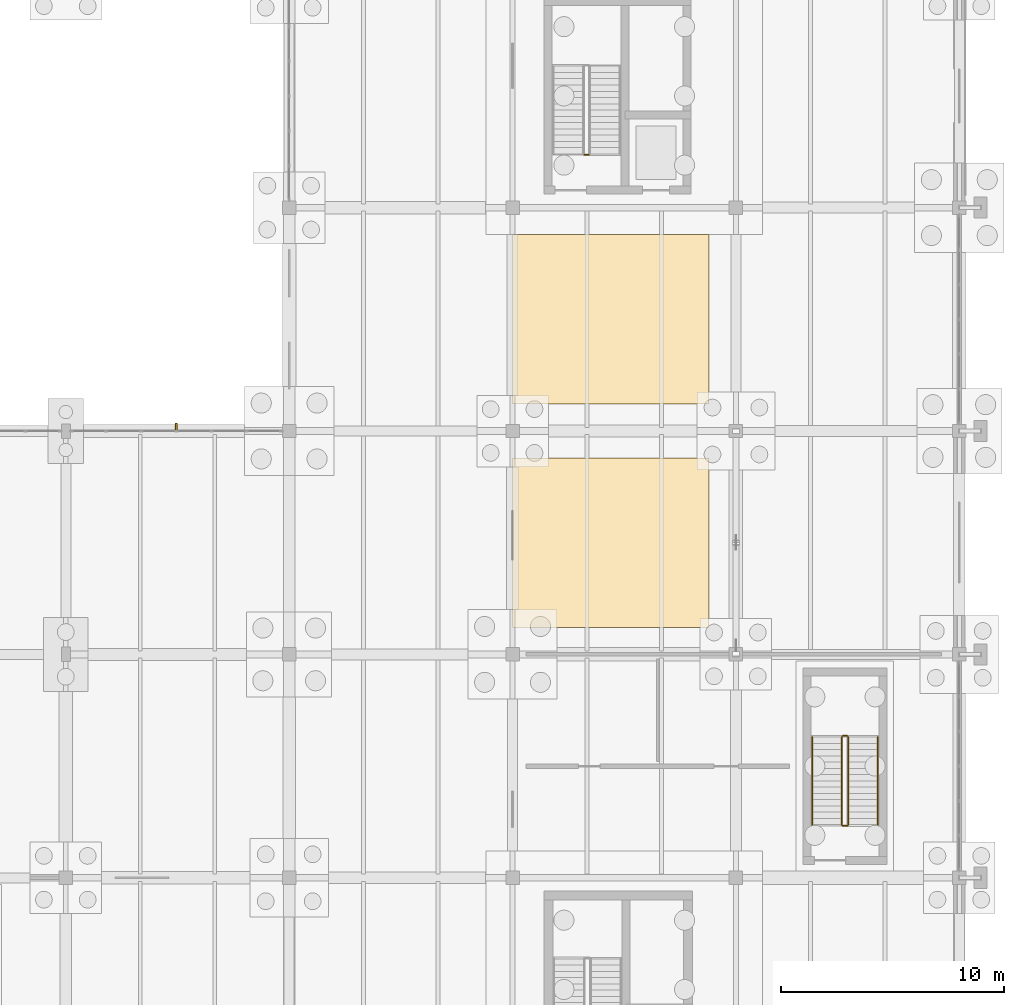
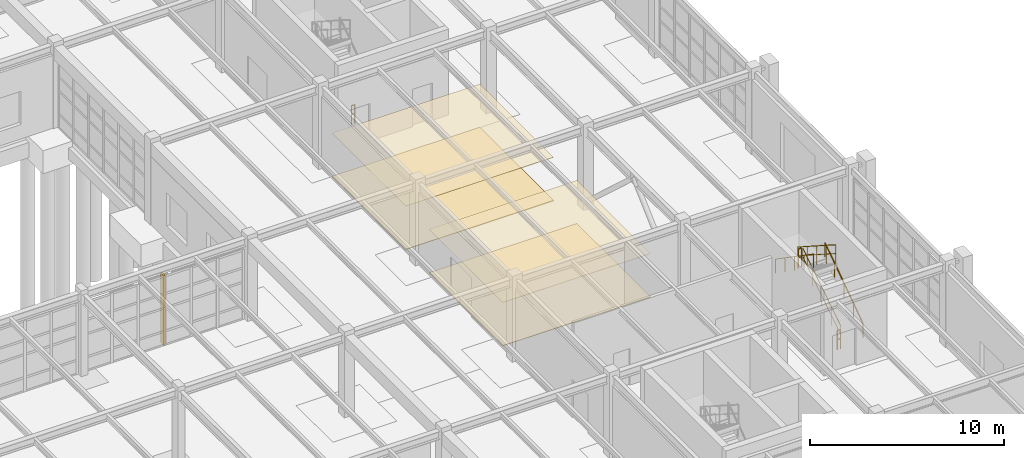
# One storey, part 141 of 145: 7 railings, 4 coverings, 1 shading device.
"""IFC4 building model written with IfcOpenShell, lengths in metres."""

from ifc_helpers import new_model, si_unit, direction, frame, origin, origin_2d, place, context, subcontext, project, spatial, polyline, rectangle, circle, outline, extrude, material, layer, layer_set, type_object, element, save


model = new_model("IFC4")

# Units and contexts
model_context = context("Model", 3, precision=1e-05, world=origin(), true_north=direction((0.0, 1.0)))
body_context = subcontext(model_context, "Body", "Model", "MODEL_VIEW")
ifc_project = project(units=[si_unit("LENGTHUNIT", "METRE"), si_unit("AREAUNIT", "SQUARE_METRE"), si_unit("VOLUMEUNIT", "CUBIC_METRE"), si_unit("PLANEANGLEUNIT", "RADIAN"), si_unit("MASSUNIT", "GRAM", prefix="KILO"), si_unit("THERMODYNAMICTEMPERATUREUNIT", "KELVIN"), si_unit("POWERUNIT", "WATT")], contexts=[model_context])

# Site, building, storey
site_placement = place(None, origin())
site = spatial("IfcSite", under=ifc_project, at=site_placement, CompositionType="ELEMENT")
building_placement = place(site_placement, origin())
building = spatial("IfcBuilding", under=site, at=building_placement, Name="Korenveer Ferry Terminal", CompositionType="ELEMENT")
storey_placement = place(building_placement, origin())
storey = spatial("IfcBuildingStorey", under=building, at=storey_placement, Name="L00", CompositionType="ELEMENT", Elevation=0.0)

# Shading device
ifc_material_1 = material(Name="Anodised bronze aluminium solar fin", Category="aluminium")
shading_device_type = type_object("IfcShadingDeviceType", Name="ENV-SHD-FIN", PredefinedType="JALOUSIE", material=ifc_material_1)
shading_device_placement = place(storey_placement, frame((140.949951171875, 50.159912109375, -0.02001953125), z_axis=(0.0, 0.0, 1.0), x_axis=(0.0, 1.0, 0.0)))
element("IfcShadingDevice", 1, at=shading_device_placement, inside=storey, type_object=shading_device_type, Name="Gothic solar fin 2", PredefinedType="JALOUSIE", context=body_context, shape_type="SweptSolid", body=[
    extrude(rectangle(XDim=0.360107421875, YDim=0.080078125, at=origin_2d()), origin(), (0.0, 0.0, 1.0), 4.409912109375),
])

# Coverings
ifc_material_2 = material(Name="Mineral acoustic ceiling board", Category="other")
ifc_layer_1 = layer(ifc_material_2, 0.02490234375)
ifc_layer_set_1 = layer_set([ifc_layer_1], Name="Mineral acoustic ceiling board")
covering_type_1 = type_object("IfcCoveringType", Name="INT-COV-CEIL", PredefinedType="CEILING", material=ifc_layer_set_1)
covering_1_placement = place(storey_placement, frame((0.0, 0.0, 2.72509765625)))
element("IfcCovering", 2, at=covering_1_placement, inside=storey, type_object=covering_type_1, Name="Acoustic room ceiling 3", PredefinedType="CEILING", context=body_context, shape_type="SweptSolid", body=[
    extrude(outline(polyline([(156.0, 41.199951171875), (164.800048828125, 41.199951171875), (164.800048828125, 48.800048828125), (156.0, 48.800048828125), (156.0, 41.199951171875)])), origin(), (0.0, 0.0, 1.0), 0.02490234375),
])
covering_2_placement = place(storey_placement, frame((0.0, 0.0, 2.72509765625)))
element("IfcCovering", 3, at=covering_2_placement, inside=storey, type_object=covering_type_1, Name="Acoustic room ceiling 4", PredefinedType="CEILING", context=body_context, shape_type="SweptSolid", body=[
    extrude(outline(polyline([(156.0, 51.199951171875), (164.800048828125, 51.199951171875), (164.800048828125, 58.800048828125), (156.0, 58.800048828125), (156.0, 51.199951171875)])), origin(), (0.0, 0.0, 1.0), 0.02490234375),
])
ifc_material_3 = material(Name="Polished terrazzo tile finish", Category="masonry")
ifc_layer_2 = layer(ifc_material_3, 0.030029296875)
ifc_layer_set_2 = layer_set([ifc_layer_2], Name="Polished terrazzo tile finish")
covering_type_2 = type_object("IfcCoveringType", Name="INT-COV-FLR", PredefinedType="FLOORING", material=ifc_layer_set_2)
covering_3_placement = place(storey_placement, origin())
element("IfcCovering", 4, at=covering_3_placement, inside=storey, type_object=covering_type_2, Name="Terrazzo floor finish 3", PredefinedType="FLOORING", context=body_context, shape_type="SweptSolid", body=[
    extrude(outline(polyline([(156.0, 41.199951171875), (164.800048828125, 41.199951171875), (164.800048828125, 48.800048828125), (156.0, 48.800048828125), (156.0, 41.199951171875)])), origin(), (0.0, 0.0, 1.0), 0.030029296875),
])
covering_4_placement = place(storey_placement, origin())
element("IfcCovering", 5, at=covering_4_placement, inside=storey, type_object=covering_type_2, Name="Terrazzo floor finish 4", PredefinedType="FLOORING", context=body_context, shape_type="SweptSolid", body=[
    extrude(outline(polyline([(156.0, 51.199951171875), (164.800048828125, 51.199951171875), (164.800048828125, 58.800048828125), (156.0, 58.800048828125), (156.0, 51.199951171875)])), origin(), (0.0, 0.0, 1.0), 0.030029296875),
])

# Railings
ifc_material_4 = material(Name="Brushed stainless steel handrail", Category="steel")
railing_type_1 = type_object("IfcRailingType", Name="INT-RL-HND90", PredefinedType="HANDRAIL", material=ifc_material_4)
railing_1_placement = place(storey_placement, frame((172.35009765625, 32.3798828125, 0.179931640625)))
element("IfcRailing", 6, at=railing_1_placement, inside=storey, type_object=railing_type_1, Name="L00 ST12 stair handrail 1", PredefinedType="HANDRAIL", context=body_context, shape_type="SweptSolid", body=[
    extrude(circle(Radius=0.02392578125, at=origin_2d()), frame((0.0, 0.0, 0.8759765625), z_axis=(0.0, 0.823567234665, 0.567218661528), x_axis=(-1.0, 0.0, 0.0)), (0.0, 0.0, 1.0), 4.760009765625),
    extrude(circle(Radius=0.02099609375, at=origin_2d()), origin(), (0.0, 0.0, 1.0), 0.851806640625),
    extrude(circle(Radius=0.02099609375, at=origin_2d()), frame((0.0, 0.97998046875, 0.675048828125)), (0.0, 0.0, 1.0), 0.851806640625),
    extrude(circle(Radius=0.02099609375, at=origin_2d()), frame((0.0, 1.9599609375, 1.35009765625)), (0.0, 0.0, 1.0), 0.851806640625),
    extrude(circle(Radius=0.02099609375, at=origin_2d()), frame((0.0, 2.940185546875, 2.02490234375)), (0.0, 0.0, 1.0), 0.851806640625),
    extrude(circle(Radius=0.02099609375, at=origin_2d()), frame((0.0, 3.920166015625, 2.699951171875)), (0.0, 0.0, 1.0), 0.851806640625),
])
railing_2_placement = place(storey_placement, frame((169.409912109375, 36.300048828125, 2.8798828125)))
element("IfcRailing", 7, at=railing_2_placement, inside=storey, type_object=railing_type_1, Name="L00 ST12 stair handrail 2", PredefinedType="HANDRAIL", context=body_context, shape_type="SweptSolid", body=[
    extrude(circle(Radius=0.02392578125, at=origin_2d()), frame((0.0, 0.0, 0.8759765625), z_axis=(0.0, -0.82354327477, 0.567253448276), x_axis=(1.0, 0.0, 0.0)), (0.0, 0.0, 1.0), 4.760009765625),
    extrude(circle(Radius=0.02099609375, at=origin_2d()), origin(), (0.0, 0.0, 1.0), 0.851806640625),
    extrude(circle(Radius=0.02099609375, at=origin_2d()), frame((0.0, -0.97998046875, 0.675048828125)), (0.0, 0.0, 1.0), 0.851806640625),
    extrude(circle(Radius=0.02099609375, at=origin_2d()), frame((0.0, -1.9599609375, 1.35009765625)), (0.0, 0.0, 1.0), 0.851806640625),
    extrude(circle(Radius=0.02099609375, at=origin_2d()), frame((0.0, -2.940185546875, 2.025146484375)), (0.0, 0.0, 1.0), 0.851806640625),
    extrude(circle(Radius=0.02099609375, at=origin_2d()), frame((0.0, -3.920166015625, 2.7001953125)), (0.0, 0.0, 1.0), 0.851806640625),
])
ifc_material_5 = material(Name="Painted steel stair guard", Category="steel")
railing_type_2 = type_object("IfcRailingType", Name="INT-RL-STGRD", PredefinedType="GUARDRAIL", material=ifc_material_5)
railing_3_placement = place(storey_placement, frame((159.409912109375, 62.360107421875, 0.0)))
element("IfcRailing", 8, at=railing_3_placement, inside=storey, type_object=railing_type_2, Name="L00 ST04 stair guard 4", PredefinedType="GUARDRAIL", context=body_context, shape_type="SweptSolid", body=[
    extrude(circle(Radius=0.02392578125, at=origin_2d()), frame((0.0, 0.0, 1.17578125), z_axis=(-1.0, 0.0, 0.0), x_axis=(0.0, -1.0, 0.0)), (0.0, 0.0, 1.0), 0.199951171875),
    extrude(circle(Radius=0.01806640625, at=origin_2d()), frame((0.0, 0.0, 0.6240234375), z_axis=(-1.0, 0.0, 0.0), x_axis=(0.0, -1.0, 0.0)), (0.0, 0.0, 1.0), 0.199951171875),
    extrude(circle(Radius=0.02099609375, at=origin_2d()), origin(), (0.0, 0.0, 1.0), 1.15185546875),
    extrude(circle(Radius=0.02099609375, at=origin_2d()), frame((-0.199951171875, 0.0, 0.0)), (0.0, 0.0, 1.0), 1.15185546875),
])
railing_4_placement = place(storey_placement, frame((171.030029296875, 32.3798828125, 0.179931640625)))
element("IfcRailing", 9, at=railing_4_placement, inside=storey, type_object=railing_type_2, Name="L00 ST12 stair guard 1", PredefinedType="GUARDRAIL", context=body_context, shape_type="SweptSolid", body=[
    extrude(circle(Radius=0.02392578125, at=origin_2d()), frame((0.0, 0.0, 1.17578125), z_axis=(0.0, 0.841186985886, 0.540744352514), x_axis=(-1.0, 0.0, 0.0)), (0.0, 0.0, 1.0), 4.660400390625),
    extrude(circle(Radius=0.01806640625, at=origin_2d()), frame((0.0, 0.0, 0.6240234375), z_axis=(0.0, 0.841186985886, 0.540744352514), x_axis=(-1.0, 0.0, 0.0)), (0.0, 0.0, 1.0), 4.660400390625),
    extrude(circle(Radius=0.02099609375, at=origin_2d()), origin(), (0.0, 0.0, 1.0), 1.15185546875),
    extrude(circle(Radius=0.02099609375, at=origin_2d()), frame((0.0, 0.97998046875, 0.6298828125)), (0.0, 0.0, 1.0), 1.15185546875),
    extrude(circle(Radius=0.02099609375, at=origin_2d()), frame((0.0, 1.9599609375, 1.260009765625)), (0.0, 0.0, 1.0), 1.15185546875),
    extrude(circle(Radius=0.02099609375, at=origin_2d()), frame((0.0, 2.940185546875, 1.89013671875)), (0.0, 0.0, 1.0), 1.15185546875),
    extrude(circle(Radius=0.02099609375, at=origin_2d()), frame((0.0, 3.920166015625, 2.52001953125)), (0.0, 0.0, 1.0), 1.15185546875),
])
railing_5_placement = place(storey_placement, frame((170.97998046875, 36.35009765625, 2.699951171875)))
element("IfcRailing", 10, at=railing_5_placement, inside=storey, type_object=railing_type_2, Name="L00 ST12 stair guard 2", PredefinedType="GUARDRAIL", context=body_context, shape_type="SweptSolid", body=[
    extrude(circle(Radius=0.02392578125, at=origin_2d()), frame((0.0, 0.0, 1.17578125), z_axis=(-1.0, 0.0, 0.0), x_axis=(0.0, -1.0, 0.0)), (0.0, 0.0, 1.0), 0.199951171875),
    extrude(circle(Radius=0.01806640625, at=origin_2d()), frame((0.0, 0.0, 0.6240234375), z_axis=(-1.0, 0.0, 0.0), x_axis=(0.0, -1.0, 0.0)), (0.0, 0.0, 1.0), 0.199951171875),
    extrude(circle(Radius=0.02099609375, at=origin_2d()), origin(), (0.0, 0.0, 1.0), 1.15185546875),
    extrude(circle(Radius=0.02099609375, at=origin_2d()), frame((-0.199951171875, 0.0, 0.0)), (0.0, 0.0, 1.0), 1.15185546875),
])
railing_6_placement = place(storey_placement, frame((170.72998046875, 36.300048828125, 2.8798828125)))
element("IfcRailing", 11, at=railing_6_placement, inside=storey, type_object=railing_type_2, Name="L00 ST12 stair guard 3", PredefinedType="GUARDRAIL", context=body_context, shape_type="SweptSolid", body=[
    extrude(circle(Radius=0.02392578125, at=origin_2d()), frame((0.0, 0.0, 1.17578125), z_axis=(0.0, -0.841186985886, 0.540744352514), x_axis=(1.0, 0.0, 0.0)), (0.0, 0.0, 1.0), 4.660400390625),
    extrude(circle(Radius=0.01806640625, at=origin_2d()), frame((0.0, 0.0, 0.6240234375), z_axis=(0.0, -0.841186985886, 0.540744352514), x_axis=(1.0, 0.0, 0.0)), (0.0, 0.0, 1.0), 4.660400390625),
    extrude(circle(Radius=0.02099609375, at=origin_2d()), origin(), (0.0, 0.0, 1.0), 1.15185546875),
    extrude(circle(Radius=0.02099609375, at=origin_2d()), frame((0.0, -0.97998046875, 0.6298828125)), (0.0, 0.0, 1.0), 1.15185546875),
    extrude(circle(Radius=0.02099609375, at=origin_2d()), frame((0.0, -1.9599609375, 1.260009765625)), (0.0, 0.0, 1.0), 1.15185546875),
    extrude(circle(Radius=0.02099609375, at=origin_2d()), frame((0.0, -2.940185546875, 1.89013671875)), (0.0, 0.0, 1.0), 1.15185546875),
    extrude(circle(Radius=0.02099609375, at=origin_2d()), frame((0.0, -3.920166015625, 2.52001953125)), (0.0, 0.0, 1.0), 1.15185546875),
])
railing_7_placement = place(storey_placement, frame((170.97998046875, 32.330078125, 0.0)))
element("IfcRailing", 12, at=railing_7_placement, inside=storey, type_object=railing_type_2, Name="L00 ST12 stair guard 4", PredefinedType="GUARDRAIL", context=body_context, shape_type="SweptSolid", body=[
    extrude(circle(Radius=0.02392578125, at=origin_2d()), frame((0.0, 0.0, 1.17578125), z_axis=(-1.0, 0.0, 0.0), x_axis=(0.0, -1.0, 0.0)), (0.0, 0.0, 1.0), 0.199951171875),
    extrude(circle(Radius=0.01806640625, at=origin_2d()), frame((0.0, 0.0, 0.6240234375), z_axis=(-1.0, 0.0, 0.0), x_axis=(0.0, -1.0, 0.0)), (0.0, 0.0, 1.0), 0.199951171875),
    extrude(circle(Radius=0.02099609375, at=origin_2d()), origin(), (0.0, 0.0, 1.0), 1.15185546875),
    extrude(circle(Radius=0.02099609375, at=origin_2d()), frame((-0.199951171875, 0.0, 0.0)), (0.0, 0.0, 1.0), 1.15185546875),
])

save(model, "model.ifc")
